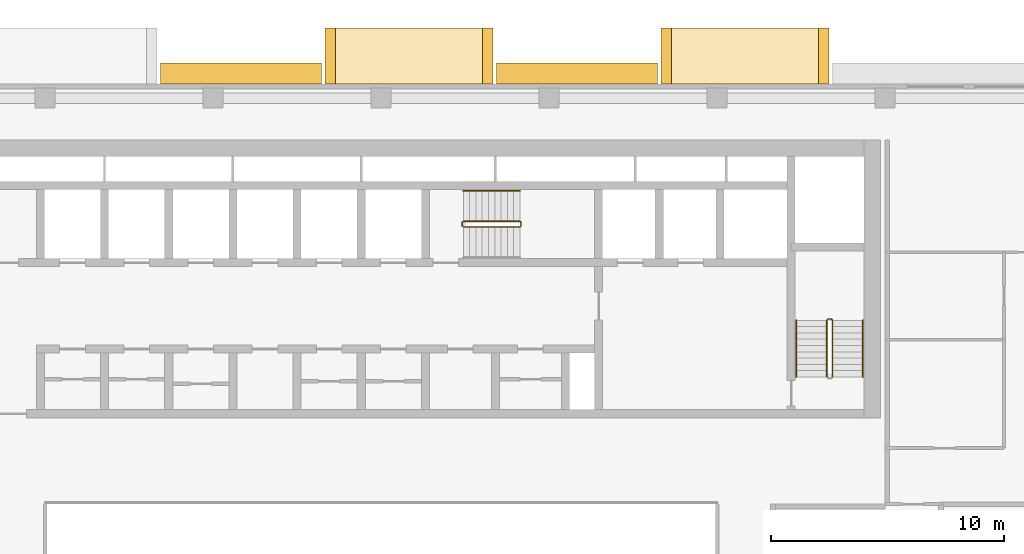
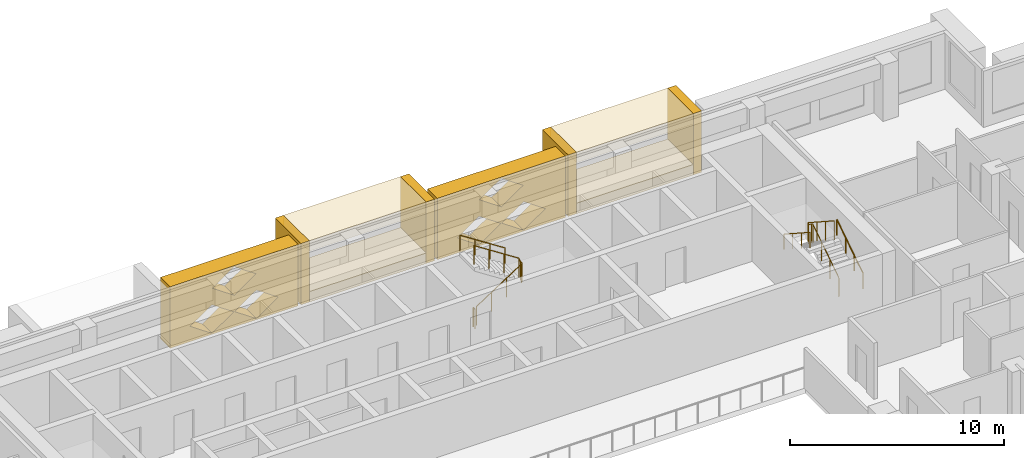
# One storey, part 19 of 20: 10 coverings, 6 railings.
"""IFC4 building model written with IfcOpenShell, lengths in metres."""

from ifc_helpers import new_model, si_unit, direction, frame, origin, origin_2d, place, context, subcontext, project, spatial, polyline, circle, outline, extrude, material, type_object, element, save


model = new_model("IFC4")

# Units and contexts
model_context = context("Model", 3, precision=1e-05, world=origin(), true_north=direction((0.0, 1.0)))
body_context = subcontext(model_context, "Body", "Model", "MODEL_VIEW")
ifc_project = project(units=[si_unit("LENGTHUNIT", "METRE"), si_unit("AREAUNIT", "SQUARE_METRE"), si_unit("VOLUMEUNIT", "CUBIC_METRE"), si_unit("PLANEANGLEUNIT", "RADIAN"), si_unit("MASSUNIT", "GRAM", prefix="KILO")], contexts=[model_context])

# Site, building, storey
site_placement = place(None, origin())
site = spatial("IfcSite", under=ifc_project, at=site_placement, CompositionType="ELEMENT")
building_placement = place(site_placement, origin())
building = spatial("IfcBuilding", under=site, at=building_placement, Name="Saffron Iwan Residences", CompositionType="ELEMENT")
storey_placement = place(building_placement, frame((0.0, 0.0, 153.5)))
storey = spatial("IfcBuildingStorey", under=building, at=storey_placement, Name="L40", CompositionType="ELEMENT", Elevation=153.5)

# Coverings
ifc_material_1 = material(Name="Precast concrete C40/50", Category="concrete")
covering_type_1 = type_object("IfcCoveringType", Name="OUTER SKIN LATTICE SCREEN", PredefinedType="CLADDING", material=ifc_material_1)
for number, where, z_axis, x_axis, name in (
    (1, (62.25, 80.39990234375, -0.300048828125), (0.0, 1.0, 0.0), (-1.0, 0.0, 0.0), "OUTER SKIN lattice screen L40 F5.1"),
    (2, (47.85009765625, 80.39990234375, -0.300048828125), (0.0, 1.0, 0.0), (-1.0, 0.0, 0.0), "OUTER SKIN lattice screen L40 F5.2"),
):
    element("IfcCovering", number, at=place(storey_placement, frame(where, z_axis=z_axis, x_axis=x_axis)), inside=storey, type_object=covering_type_1, Name=name, PredefinedType="CLADDING", context=body_context, shape_type="SweptSolid", body=[
        extrude(outline(polyline([(0.0, 0.0), (6.89990234375, 0.0), (6.89990234375, 3.5), (0.0, 3.5), (0.0, 0.0)]), holes=[polyline([(1.070068359375, 0.875), (2.25, 0.06005859375), (3.429931640625, 0.875), (2.25, 1.68994140625), (1.070068359375, 0.875)]), polyline([(3.469970703125, 0.875), (4.64990234375, 0.06005859375), (5.830078125, 0.875), (4.64990234375, 1.68994140625), (3.469970703125, 0.875)]), polyline([(2.27001953125, 2.625), (3.449951171875, 1.81005859375), (4.6298828125, 2.625), (3.449951171875, 3.43994140625), (2.27001953125, 2.625)])]), origin(), (0.0, 0.0, 1.0), 0.900146484375),
    ])

# Railings
ifc_material_2 = material(Name="Steel S355", Category="steel")
railing_type_1 = type_object("IfcRailingType", Name="Stair guard 1100", PredefinedType="GUARDRAIL", material=ifc_material_2)
railing_1_placement = place(storey_placement, frame((53.925048828125, 74.27490234375, 0.175048828125)))
element("IfcRailing", 3, at=railing_1_placement, inside=storey, type_object=railing_type_1, Name="L40 ST-C stair guard 1", PredefinedType="GUARDRAIL", context=body_context, shape_type="SweptSolid", body=[
    extrude(circle(Radius=0.02392578125, at=origin_2d()), frame((0.0, 0.0, 1.076171875), z_axis=(0.839153699163, 0.0, 0.543894354798), x_axis=(0.0, 1.0, 0.0)), (0.0, 0.0, 1.0), 2.895751953125),
    extrude(circle(Radius=0.02392578125, at=origin_2d()), frame((2.429931640625, 0.0, 2.65087890625), z_axis=(0.707106781187, 0.707106781187, 0.0), x_axis=(-0.707106781187, 0.707106781187, 0.0)), (0.0, 0.0, 1.0), 0.07080078125),
    extrude(circle(Radius=0.02392578125, at=origin_2d()), frame((2.47998046875, 0.050048828125, 2.65087890625), z_axis=(0.0, 1.0, 0.0), x_axis=(-1.0, 0.0, 0.0)), (0.0, 0.0, 1.0), 0.150146484375),
    extrude(circle(Radius=0.02392578125, at=origin_2d()), frame((2.47998046875, 0.2001953125, 2.65087890625), z_axis=(-0.265155923931, 0.263862480399, 0.927399011991), x_axis=(-0.705375805398, -0.708833529934, 0.0)), (0.0, 0.0, 1.0), 0.188720703125),
    extrude(circle(Radius=0.02392578125, at=origin_2d()), frame((2.429931640625, 0.25, 2.826171875), z_axis=(-0.839153699163, 0.0, 0.543894354798), x_axis=(0.0, -1.0, 0.0)), (0.0, 0.0, 1.0), 2.895751953125),
    extrude(circle(Radius=0.02099609375, at=origin_2d()), origin(), (0.0, 0.0, 1.0), 1.052001953125),
    extrude(circle(Radius=0.02099609375, at=origin_2d()), frame((0.81005859375, 0.0, 0.52490234375)), (0.0, 0.0, 1.0), 1.052001953125),
    extrude(circle(Radius=0.02099609375, at=origin_2d()), frame((1.619873046875, 0.0, 1.050048828125)), (0.0, 0.0, 1.0), 1.052001953125),
    extrude(circle(Radius=0.02099609375, at=origin_2d()), frame((2.429931640625, 0.0, 1.574951171875)), (0.0, 0.0, 1.0), 1.052001953125),
    extrude(circle(Radius=0.02099609375, at=origin_2d()), frame((2.47998046875, 0.050048828125, 1.574951171875)), (0.0, 0.0, 1.0), 1.052001953125),
    extrude(circle(Radius=0.02099609375, at=origin_2d()), frame((2.47998046875, 0.2001953125, 1.574951171875)), (0.0, 0.0, 1.0), 1.052001953125),
    extrude(circle(Radius=0.02099609375, at=origin_2d()), frame((2.429931640625, 0.25, 1.75)), (0.0, 0.0, 1.0), 1.052001953125),
    extrude(circle(Radius=0.02099609375, at=origin_2d()), frame((1.619873046875, 0.25, 2.27490234375)), (0.0, 0.0, 1.0), 1.052001953125),
    extrude(circle(Radius=0.02099609375, at=origin_2d()), frame((0.81005859375, 0.25, 2.800048828125)), (0.0, 0.0, 1.0), 1.052001953125),
    extrude(circle(Radius=0.02099609375, at=origin_2d()), frame((0.0, 0.25, 3.324951171875)), (0.0, 0.0, 1.0), 1.052001953125),
])
railing_2_placement = place(storey_placement, frame((53.875, 74.324951171875, 0.0)))
element("IfcRailing", 4, at=railing_2_placement, inside=storey, type_object=railing_type_1, Name="L40 ST-C stair guard 2", PredefinedType="GUARDRAIL", context=body_context, shape_type="SweptSolid", body=[
    extrude(circle(Radius=0.02392578125, at=origin_2d()), frame((0.0, 0.0, 1.076171875), z_axis=(0.0, 1.0, 0.0), x_axis=(-1.0, 0.0, 0.0)), (0.0, 0.0, 1.0), 0.150146484375),
    extrude(circle(Radius=0.02099609375, at=origin_2d()), origin(), (0.0, 0.0, 1.0), 1.052001953125),
    extrude(circle(Radius=0.02099609375, at=origin_2d()), frame((0.0, 0.150146484375, 0.0)), (0.0, 0.0, 1.0), 1.052001953125),
])
railing_3_placement = place(storey_placement, frame((69.75, 67.85009765625, 0.175048828125)))
element("IfcRailing", 5, at=railing_3_placement, inside=storey, type_object=railing_type_1, Name="L40 ST-E stair guard 1", PredefinedType="GUARDRAIL", context=body_context, shape_type="SweptSolid", body=[
    extrude(circle(Radius=0.02392578125, at=origin_2d()), frame((0.0, 0.0, 1.076171875), z_axis=(0.0, 0.839153699163, 0.543894354798), x_axis=(-1.0, 0.0, 0.0)), (0.0, 0.0, 1.0), 2.895751953125),
    extrude(circle(Radius=0.02392578125, at=origin_2d()), frame((0.0, 2.429931640625, 2.65087890625), z_axis=(-0.707106781187, 0.707106781187, 0.0), x_axis=(-0.707106781187, -0.707106781187, 0.0)), (0.0, 0.0, 1.0), 0.07080078125),
    extrude(circle(Radius=0.02392578125, at=origin_2d()), frame((-0.050048828125, 2.47998046875, 2.65087890625), z_axis=(-1.0, 0.0, 0.0), x_axis=(0.0, -1.0, 0.0)), (0.0, 0.0, 1.0), 0.14990234375),
    extrude(circle(Radius=0.02392578125, at=origin_2d()), frame((-0.199951171875, 2.47998046875, 2.65087890625), z_axis=(-0.265065253269, -0.265065253269, 0.927081885822), x_axis=(0.707106781187, -0.707106781187, 0.0)), (0.0, 0.0, 1.0), 0.188720703125),
    extrude(circle(Radius=0.02392578125, at=origin_2d()), frame((-0.25, 2.429931640625, 2.826171875), z_axis=(0.0, -0.839153699163, 0.543894354798), x_axis=(1.0, 0.0, 0.0)), (0.0, 0.0, 1.0), 2.895751953125),
    extrude(circle(Radius=0.02099609375, at=origin_2d()), origin(), (0.0, 0.0, 1.0), 1.052001953125),
    extrude(circle(Radius=0.02099609375, at=origin_2d()), frame((0.0, 0.81005859375, 0.52490234375)), (0.0, 0.0, 1.0), 1.052001953125),
    extrude(circle(Radius=0.02099609375, at=origin_2d()), frame((0.0, 1.619873046875, 1.050048828125)), (0.0, 0.0, 1.0), 1.052001953125),
    extrude(circle(Radius=0.02099609375, at=origin_2d()), frame((0.0, 2.429931640625, 1.574951171875)), (0.0, 0.0, 1.0), 1.052001953125),
    extrude(circle(Radius=0.02099609375, at=origin_2d()), frame((-0.050048828125, 2.47998046875, 1.574951171875)), (0.0, 0.0, 1.0), 1.052001953125),
    extrude(circle(Radius=0.02099609375, at=origin_2d()), frame((-0.199951171875, 2.47998046875, 1.574951171875)), (0.0, 0.0, 1.0), 1.052001953125),
    extrude(circle(Radius=0.02099609375, at=origin_2d()), frame((-0.25, 2.429931640625, 1.75)), (0.0, 0.0, 1.0), 1.052001953125),
    extrude(circle(Radius=0.02099609375, at=origin_2d()), frame((-0.25, 1.619873046875, 2.27490234375)), (0.0, 0.0, 1.0), 1.052001953125),
    extrude(circle(Radius=0.02099609375, at=origin_2d()), frame((-0.25, 0.81005859375, 2.800048828125)), (0.0, 0.0, 1.0), 1.052001953125),
    extrude(circle(Radius=0.02099609375, at=origin_2d()), frame((-0.25, 0.0, 3.324951171875)), (0.0, 0.0, 1.0), 1.052001953125),
])
ifc_material_3 = material(Name="Stainless steel 316", Category="steel")
railing_type_2 = type_object("IfcRailingType", Name="Stair handrail 900", PredefinedType="HANDRAIL", material=ifc_material_3)
railing_4_placement = place(storey_placement, frame((56.35498046875, 75.824951171875, 1.925048828125)))
element("IfcRailing", 6, at=railing_4_placement, inside=storey, type_object=railing_type_2, Name="L40 ST-C stair handrail 2", PredefinedType="HANDRAIL", context=body_context, shape_type="SweptSolid", body=[
    extrude(circle(Radius=0.02392578125, at=origin_2d()), frame((0.0, 0.0, 0.8759765625), z_axis=(-0.839153699163, 0.0, 0.543894354798), x_axis=(0.0, -1.0, 0.0)), (0.0, 0.0, 1.0), 2.895751953125),
    extrude(circle(Radius=0.02099609375, at=origin_2d()), origin(), (0.0, 0.0, 1.0), 0.851806640625),
    extrude(circle(Radius=0.02099609375, at=origin_2d()), frame((-0.81005859375, 0.0, 0.52490234375)), (0.0, 0.0, 1.0), 0.851806640625),
    extrude(circle(Radius=0.02099609375, at=origin_2d()), frame((-1.619873046875, 0.0, 1.050048828125)), (0.0, 0.0, 1.0), 0.851806640625),
    extrude(circle(Radius=0.02099609375, at=origin_2d()), frame((-2.429931640625, 0.0, 1.574951171875)), (0.0, 0.0, 1.0), 0.851806640625),
])
railing_5_placement = place(storey_placement, frame((71.050048828125, 67.85009765625, 0.175048828125)))
element("IfcRailing", 7, at=railing_5_placement, inside=storey, type_object=railing_type_2, Name="L40 ST-E stair handrail 1", PredefinedType="HANDRAIL", context=body_context, shape_type="SweptSolid", body=[
    extrude(circle(Radius=0.02392578125, at=origin_2d()), frame((0.0, 0.0, 0.8759765625), z_axis=(0.0, 0.839153699163, 0.543894354798), x_axis=(-1.0, 0.0, 0.0)), (0.0, 0.0, 1.0), 2.895751953125),
    extrude(circle(Radius=0.02099609375, at=origin_2d()), origin(), (0.0, 0.0, 1.0), 0.851806640625),
    extrude(circle(Radius=0.02099609375, at=origin_2d()), frame((0.0, 0.81005859375, 0.52490234375)), (0.0, 0.0, 1.0), 0.851806640625),
    extrude(circle(Radius=0.02099609375, at=origin_2d()), frame((0.0, 1.619873046875, 1.050048828125)), (0.0, 0.0, 1.0), 0.851806640625),
    extrude(circle(Radius=0.02099609375, at=origin_2d()), frame((0.0, 2.429931640625, 1.574951171875)), (0.0, 0.0, 1.0), 0.851806640625),
])
railing_6_placement = place(storey_placement, frame((68.199951171875, 70.280029296875, 1.925048828125)))
element("IfcRailing", 8, at=railing_6_placement, inside=storey, type_object=railing_type_2, Name="L40 ST-E stair handrail 2", PredefinedType="HANDRAIL", context=body_context, shape_type="SweptSolid", body=[
    extrude(circle(Radius=0.02392578125, at=origin_2d()), frame((0.0, 0.0, 0.8759765625), z_axis=(0.0, -0.839153699163, 0.543894354798), x_axis=(1.0, 0.0, 0.0)), (0.0, 0.0, 1.0), 2.895751953125),
    extrude(circle(Radius=0.02099609375, at=origin_2d()), origin(), (0.0, 0.0, 1.0), 0.851806640625),
    extrude(circle(Radius=0.02099609375, at=origin_2d()), frame((0.0, -0.81005859375, 0.52490234375)), (0.0, 0.0, 1.0), 0.851806640625),
    extrude(circle(Radius=0.02099609375, at=origin_2d()), frame((0.0, -1.619873046875, 1.050048828125)), (0.0, 0.0, 1.0), 0.851806640625),
    extrude(circle(Radius=0.02099609375, at=origin_2d()), frame((0.0, -2.429931640625, 1.574951171875)), (0.0, 0.0, 1.0), 0.851806640625),
])

# Coverings
ifc_material_4 = material(Name="Precast concrete C40/50 white painted", Category="concrete")
covering_type_2 = type_object("IfcCoveringType", Name="WHITE SUN FRAME PRECAST", PredefinedType="CLADDING", material=ifc_material_4)
for number, where, z_axis, x_axis, name in (
    (9, (69.60009765625, 80.39990234375, -0.300048828125), (0.0, 1.0, 0.0), (-1.0, 0.0, 0.0), "Sun frame L40 F5 13.2a"),
    (10, (62.85009765625, 80.39990234375, -0.300048828125), (0.0, 1.0, 0.0), (-1.0, 0.0, 0.0), "Sun frame L40 F5 13.2b"),
):
    element("IfcCovering", number, at=place(storey_placement, frame(where, z_axis=z_axis, x_axis=x_axis)), inside=storey, type_object=covering_type_2, Name=name, PredefinedType="CLADDING", context=body_context, shape_type="SweptSolid", body=[
        extrude(outline(polyline([(0.0, 0.0), (0.449951171875, 0.0), (0.449951171875, 3.5), (0.0, 3.5), (0.0, 0.0)])), origin(), (0.0, 0.0, 1.0), 2.400146484375),
    ])
for number, where, z_axis, x_axis, name in (
    (11, (69.14990234375, 80.39990234375, 2.60009765625), (0.0, 1.0, 0.0), (-1.0, 0.0, 0.0), "Sun frame L40 F5 13.2h"),
    (12, (69.14990234375, 80.39990234375, -0.300048828125), (0.0, 1.0, 0.0), (-1.0, 0.0, 0.0), "Sun frame L40 F5 13.2s"),
):
    element("IfcCovering", number, at=place(storey_placement, frame(where, z_axis=z_axis, x_axis=x_axis)), inside=storey, type_object=covering_type_2, Name=name, PredefinedType="CLADDING", context=body_context, shape_type="SweptSolid", body=[
        extrude(outline(polyline([(0.0, 0.0), (6.300048828125, 0.0), (6.300048828125, 0.60009765625), (0.0, 0.60009765625), (0.0, 0.0)])), origin(), (0.0, 0.0, 1.0), 2.400146484375),
    ])
for number, where, z_axis, x_axis, name in (
    (13, (55.199951171875, 80.39990234375, -0.300048828125), (0.0, 1.0, 0.0), (-1.0, 0.0, 0.0), "Sun frame L40 F5 27.6a"),
    (14, (48.449951171875, 80.39990234375, -0.300048828125), (0.0, 1.0, 0.0), (-1.0, 0.0, 0.0), "Sun frame L40 F5 27.6b"),
):
    element("IfcCovering", number, at=place(storey_placement, frame(where, z_axis=z_axis, x_axis=x_axis)), inside=storey, type_object=covering_type_2, Name=name, PredefinedType="CLADDING", context=body_context, shape_type="SweptSolid", body=[
        extrude(outline(polyline([(0.0, 0.0), (0.449951171875, 0.0), (0.449951171875, 3.5), (0.0, 3.5), (0.0, 0.0)])), origin(), (0.0, 0.0, 1.0), 2.400146484375),
    ])
for number, where, z_axis, x_axis, name in (
    (15, (54.75, 80.39990234375, 2.60009765625), (0.0, 1.0, 0.0), (-1.0, 0.0, 0.0), "Sun frame L40 F5 27.6h"),
    (16, (54.75, 80.39990234375, -0.300048828125), (0.0, 1.0, 0.0), (-1.0, 0.0, 0.0), "Sun frame L40 F5 27.6s"),
):
    element("IfcCovering", number, at=place(storey_placement, frame(where, z_axis=z_axis, x_axis=x_axis)), inside=storey, type_object=covering_type_2, Name=name, PredefinedType="CLADDING", context=body_context, shape_type="SweptSolid", body=[
        extrude(outline(polyline([(0.0, 0.0), (6.300048828125, 0.0), (6.300048828125, 0.60009765625), (0.0, 0.60009765625), (0.0, 0.0)])), origin(), (0.0, 0.0, 1.0), 2.400146484375),
    ])

save(model, "model.ifc")
